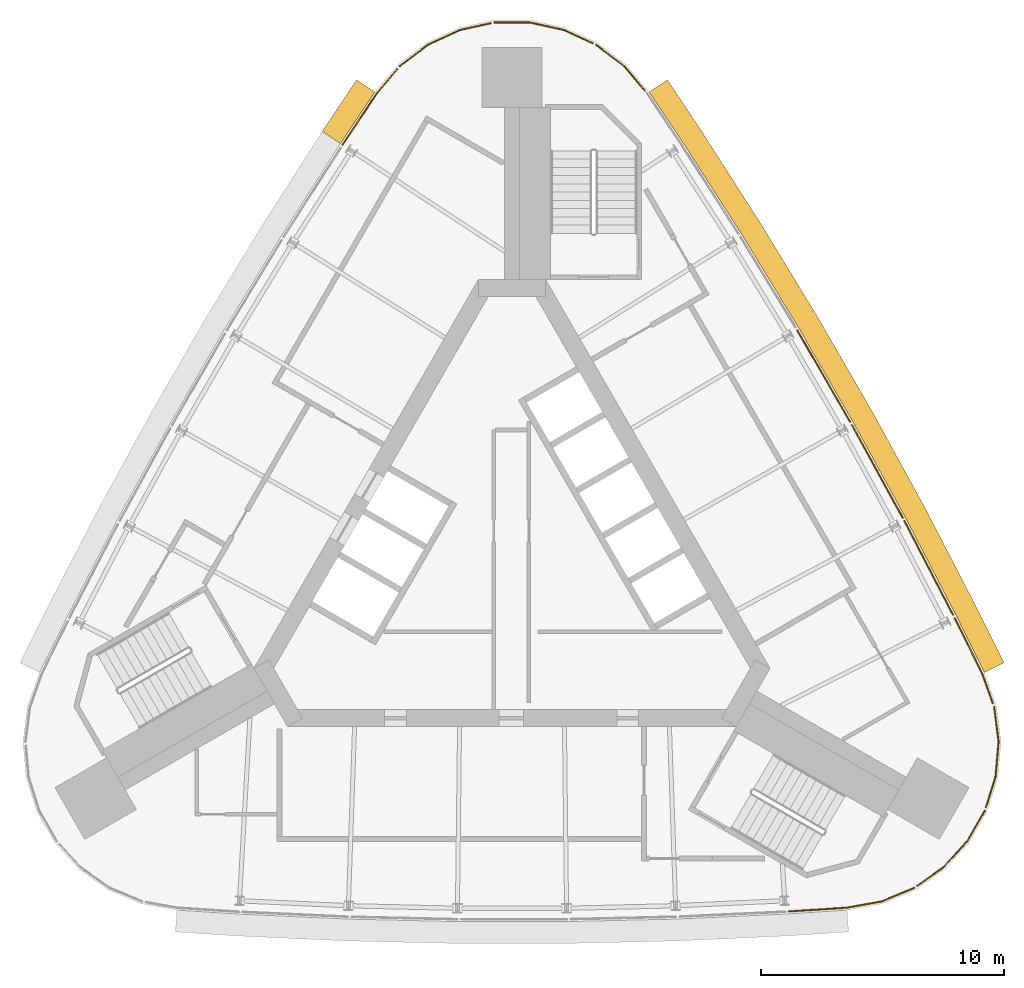
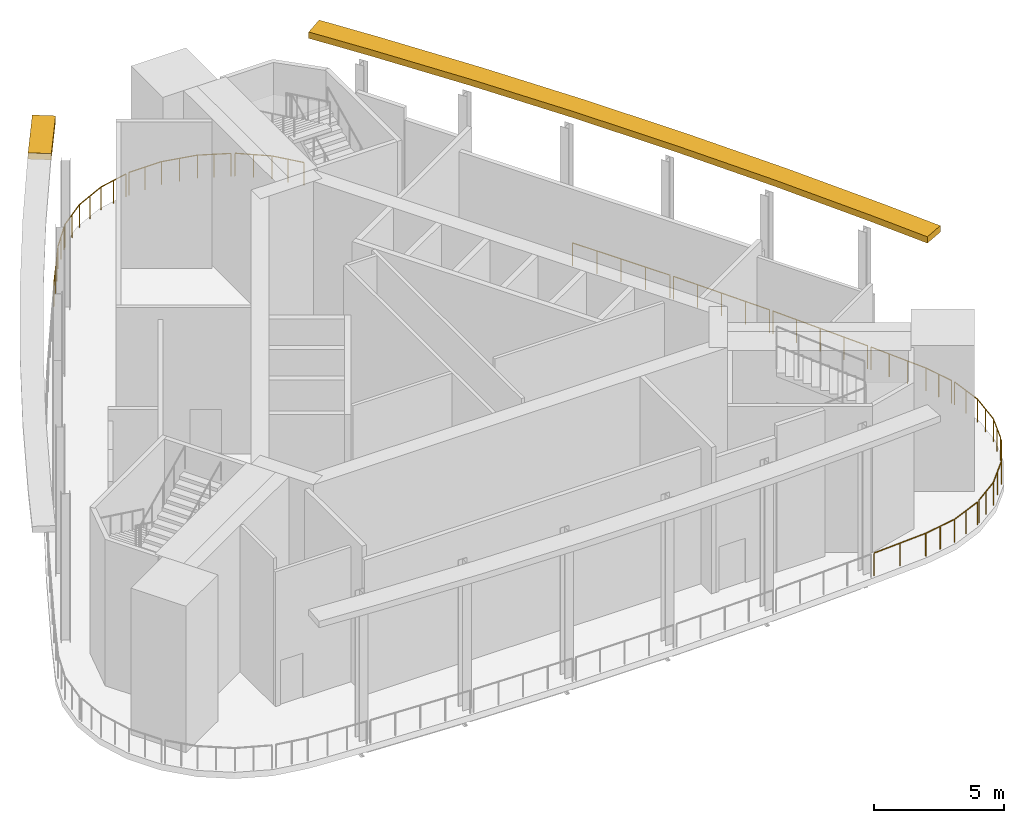
# One storey, part 7 of 7: 11 railings, 2 shading devices.
"""IFC4 building model written with IfcOpenShell, lengths in metres."""

from ifc_helpers import new_model, si_unit, direction, frame, origin, origin_2d, place, context, subcontext, project, spatial, polyline, circle, outline, extrude, material, type_object, element, save


model = new_model("IFC4")

# Units and contexts
model_context = context("Model", 3, precision=1e-05, world=origin(), true_north=direction((0.0, 1.0)))
body_context = subcontext(model_context, "Body", "Model", "MODEL_VIEW")
ifc_project = project(units=[si_unit("LENGTHUNIT", "METRE"), si_unit("AREAUNIT", "SQUARE_METRE"), si_unit("VOLUMEUNIT", "CUBIC_METRE"), si_unit("PLANEANGLEUNIT", "RADIAN"), si_unit("MASSUNIT", "GRAM", prefix="KILO")], contexts=[model_context])

# Site, building, storey
site_placement = place(None, origin())
site = spatial("IfcSite", under=ifc_project, at=site_placement, CompositionType="ELEMENT")
building_placement = place(site_placement, origin())
building = spatial("IfcBuilding", under=site, at=building_placement, Name="Noor Cloister Tower", CompositionType="ELEMENT")
storey_placement = place(building_placement, frame((0.0, 0.0, 250.800048828125)))
storey = spatial("IfcBuildingStorey", under=building, at=storey_placement, Name="L65", CompositionType="ELEMENT", Elevation=250.800048828125)

# Shading devices
ifc_material_1 = material(Name="Limestone", Category="masonry")
shading_device_type = type_object("IfcShadingDeviceType", Name="SUNSHADE limestone band 900", PredefinedType="USERDEFINED", material=ifc_material_1)
shading_device_1_placement = place(storey_placement, frame((0.0, 0.0, 6.89990234375)))
element("IfcShadingDevice", 1, at=shading_device_1_placement, inside=storey, type_object=shading_device_type, Name="SUNSHADE L65 3", ObjectType="SUNSHADE", PredefinedType="USERDEFINED", context=body_context, shape_type="SweptSolid", body=[
    extrude(outline(polyline([(20.2392578125, -4.30322265625), (19.10400390625, -2.010498046875), (17.026611328125, 2.001953125), (14.856689453125, 5.967529296875), (12.596435546875, 9.88232421875), (10.246826171875, 13.744384765625), (7.810791015625, 17.5498046875), (6.39306640625, 19.67919921875), (5.643798828125, 19.180419921875), (7.05712890625, 17.0576171875), (9.4833984375, 13.267822265625), (11.822021484375, 9.423583984375), (14.072021484375, 5.5263671875), (16.232177734375, 1.578857421875), (18.301025390625, -2.417236328125), (19.4326171875, -4.702392578125), (20.2392578125, -4.30322265625)])), origin(), (0.0, 0.0, 1.0), 0.300048828125),
])
shading_device_2_placement = place(storey_placement, frame((0.0, 0.0, 6.89990234375)))
element("IfcShadingDevice", 2, at=shading_device_2_placement, inside=storey, type_object=shading_device_type, Name="SUNSHADE L65 4", ObjectType="SUNSHADE", PredefinedType="USERDEFINED", context=body_context, shape_type="SweptSolid", body=[
    extrude(outline(polyline([(-6.39306640625, 19.67919921875), (-7.806396484375, 17.556396484375), (-7.05712890625, 17.0576171875), (-5.643798828125, 19.180419921875), (-6.39306640625, 19.67919921875)])), origin(), (0.0, 0.0, 1.0), 0.300048828125),
])

# Railings
ifc_material_2 = material(Name="Stainless steel grade 316", Category="steel")
railing_type = type_object("IfcRailingType", Name="Wind floor guard 1100", PredefinedType="GUARDRAIL", material=ifc_material_2)
railing_1_placement = place(storey_placement, frame((11.736083984375, 9.37255859375, 0.0)))
element("IfcRailing", 3, at=railing_1_placement, inside=storey, type_object=railing_type, Name="Wind floor guard L65 3", PredefinedType="GUARDRAIL", context=body_context, shape_type="SweptSolid", body=[
    extrude(circle(Radius=0.02392578125, at=origin_2d()), frame((0.0, 0.0, 1.076171875), z_axis=(0.500004386343, -0.866022871314, 0.0), x_axis=(0.866022871314, 0.500004386343, 0.0)), (0.0, 0.0, 1.0), 4.34765625),
    extrude(circle(Radius=0.02099609375, at=origin_2d()), origin(), (0.0, 0.0, 1.0), 1.052001953125),
    extrude(circle(Radius=0.02099609375, at=origin_2d()), frame((0.54345703125, -0.94140625, 0.0)), (0.0, 0.0, 1.0), 1.052001953125),
    extrude(circle(Radius=0.02099609375, at=origin_2d()), frame((1.0869140625, -1.882568359375, 0.0)), (0.0, 0.0, 1.0), 1.052001953125),
    extrude(circle(Radius=0.02099609375, at=origin_2d()), frame((1.63037109375, -2.82373046875, 0.0)), (0.0, 0.0, 1.0), 1.052001953125),
    extrude(circle(Radius=0.02099609375, at=origin_2d()), frame((2.173828125, -3.76513671875, 0.0)), (0.0, 0.0, 1.0), 1.052001953125),
])
railing_2_placement = place(storey_placement, frame((13.98486328125, 5.4775390625, 0.0)))
element("IfcRailing", 4, at=railing_2_placement, inside=storey, type_object=railing_type, Name="Wind floor guard L65 4", PredefinedType="GUARDRAIL", context=body_context, shape_type="SweptSolid", body=[
    extrude(circle(Radius=0.02392578125, at=origin_2d()), frame((0.0, 0.0, 1.076171875), z_axis=(0.480016307824, -0.877259564908, 0.0), x_axis=(0.877259564908, 0.480016307824, 0.0)), (0.0, 0.0, 1.0), 4.34765625),
    extrude(circle(Radius=0.02099609375, at=origin_2d()), origin(), (0.0, 0.0, 1.0), 1.052001953125),
    extrude(circle(Radius=0.02099609375, at=origin_2d()), frame((0.521728515625, -0.95361328125, 0.0)), (0.0, 0.0, 1.0), 1.052001953125),
    extrude(circle(Radius=0.02099609375, at=origin_2d()), frame((1.04345703125, -1.906982421875, 0.0)), (0.0, 0.0, 1.0), 1.052001953125),
    extrude(circle(Radius=0.02099609375, at=origin_2d()), frame((1.565185546875, -2.8603515625, 0.0)), (0.0, 0.0, 1.0), 1.052001953125),
    extrude(circle(Radius=0.02099609375, at=origin_2d()), frame((2.0869140625, -3.81396484375, 0.0)), (0.0, 0.0, 1.0), 1.052001953125),
])
railing_3_placement = place(storey_placement, frame((16.143798828125, 1.531982421875, 0.0)))
element("IfcRailing", 5, at=railing_3_placement, inside=storey, type_object=railing_type, Name="Wind floor guard L65 5", PredefinedType="GUARDRAIL", context=body_context, shape_type="SweptSolid", body=[
    extrude(circle(Radius=0.02392578125, at=origin_2d()), frame((0.0, 0.0, 1.076171875), z_axis=(0.459769643956, -0.8880382168, 0.0), x_axis=(0.8880382168, 0.459769643956, 0.0)), (0.0, 0.0, 1.0), 4.347900390625),
    extrude(circle(Radius=0.02099609375, at=origin_2d()), origin(), (0.0, 0.0, 1.0), 1.052001953125),
    extrude(circle(Radius=0.02099609375, at=origin_2d()), frame((0.499755859375, -0.96533203125, 0.0)), (0.0, 0.0, 1.0), 1.052001953125),
    extrude(circle(Radius=0.02099609375, at=origin_2d()), frame((0.99951171875, -1.9306640625, 0.0)), (0.0, 0.0, 1.0), 1.052001953125),
    extrude(circle(Radius=0.02099609375, at=origin_2d()), frame((1.499267578125, -2.895751953125, 0.0)), (0.0, 0.0, 1.0), 1.052001953125),
    extrude(circle(Radius=0.02099609375, at=origin_2d()), frame((1.9990234375, -3.861083984375, 0.0)), (0.0, 0.0, 1.0), 1.052001953125),
])
railing_4_placement = place(storey_placement, frame((18.2119140625, -2.46240234375, 0.0)))
element("IfcRailing", 6, at=railing_4_placement, inside=storey, type_object=railing_type, Name="Wind floor guard L65 6", PredefinedType="GUARDRAIL", context=body_context, shape_type="SweptSolid", body=[
    extrude(circle(Radius=0.02392578125, at=origin_2d()), frame((0.0, 0.0, 1.076171875), z_axis=(0.443754673123, -0.896148308084, 0.0), x_axis=(0.896148308084, 0.443754673123, 0.0)), (0.0, 0.0, 1.0), 2.54345703125),
    extrude(circle(Radius=0.02392578125, at=origin_2d()), frame((1.128662109375, -2.279296875, 1.076171875), z_axis=(0.337860516068, -0.941196191919, 0.0), x_axis=(0.941196191919, 0.337860516068, 0.0)), (0.0, 0.0, 1.0), 1.30859375),
    extrude(circle(Radius=0.02099609375, at=origin_2d()), origin(), (0.0, 0.0, 1.0), 1.052001953125),
    extrude(circle(Radius=0.02099609375, at=origin_2d()), frame((0.376220703125, -0.759765625, 0.0)), (0.0, 0.0, 1.0), 1.052001953125),
    extrude(circle(Radius=0.02099609375, at=origin_2d()), frame((0.75244140625, -1.51953125, 0.0)), (0.0, 0.0, 1.0), 1.052001953125),
    extrude(circle(Radius=0.02099609375, at=origin_2d()), frame((1.128662109375, -2.279296875, 0.0)), (0.0, 0.0, 1.0), 1.052001953125),
    extrude(circle(Radius=0.02099609375, at=origin_2d()), frame((1.349609375, -2.89501953125, 0.0)), (0.0, 0.0, 1.0), 1.052001953125),
    extrude(circle(Radius=0.02099609375, at=origin_2d()), frame((1.57080078125, -3.510986328125, 0.0)), (0.0, 0.0, 1.0), 1.052001953125),
])
railing_5_placement = place(storey_placement, frame((19.83349609375, -6.11474609375, 0.0)))
element("IfcRailing", 7, at=railing_5_placement, inside=storey, type_object=railing_type, Name="Wind floor guard L65 7", PredefinedType="GUARDRAIL", context=body_context, shape_type="SweptSolid", body=[
    extrude(circle(Radius=0.02392578125, at=origin_2d()), frame((0.0, 0.0, 1.076171875), z_axis=(0.127321093435, -0.991861552419, 0.0), x_axis=(0.991861552419, 0.127321093435, 0.0)), (0.0, 0.0, 1.0), 1.453369140625),
    extrude(circle(Radius=0.02392578125, at=origin_2d()), frame((0.18505859375, -1.441650390625, 1.076171875), z_axis=(-0.089339513517, -0.996001230584, 0.0), x_axis=(0.996001230584, -0.089339513517, 0.0)), (0.0, 0.0, 1.0), 1.453857421875),
    extrude(circle(Radius=0.02392578125, at=origin_2d()), frame((0.05517578125, -2.8896484375, 1.076171875), z_axis=(-0.301695962896, -0.953404188145, 0.0), x_axis=(0.953404188145, -0.301695962896, 0.0)), (0.0, 0.0, 1.0), 1.3037109375),
    extrude(circle(Radius=0.02099609375, at=origin_2d()), origin(), (0.0, 0.0, 1.0), 1.052001953125),
    extrude(circle(Radius=0.02099609375, at=origin_2d()), frame((0.092529296875, -0.720703125, 0.0)), (0.0, 0.0, 1.0), 1.052001953125),
    extrude(circle(Radius=0.02099609375, at=origin_2d()), frame((0.18505859375, -1.441650390625, 0.0)), (0.0, 0.0, 1.0), 1.052001953125),
    extrude(circle(Radius=0.02099609375, at=origin_2d()), frame((0.1201171875, -2.16552734375, 0.0)), (0.0, 0.0, 1.0), 1.052001953125),
    extrude(circle(Radius=0.02099609375, at=origin_2d()), frame((0.05517578125, -2.8896484375, 0.0)), (0.0, 0.0, 1.0), 1.052001953125),
    extrude(circle(Radius=0.02099609375, at=origin_2d()), frame((-0.1416015625, -3.51123046875, 0.0)), (0.0, 0.0, 1.0), 1.052001953125),
    extrude(circle(Radius=0.02099609375, at=origin_2d()), frame((-0.338134765625, -4.132568359375, 0.0)), (0.0, 0.0, 1.0), 1.052001953125),
])
railing_6_placement = place(storey_placement, frame((19.4501953125, -10.390380859375, 0.0)))
element("IfcRailing", 8, at=railing_6_placement, inside=storey, type_object=railing_type, Name="Wind floor guard L65 8", PredefinedType="GUARDRAIL", context=body_context, shape_type="SweptSolid", body=[
    extrude(circle(Radius=0.02392578125, at=origin_2d()), frame((0.0, 0.0, 1.076171875), z_axis=(-0.500022928159, -0.866012165801, 0.0), x_axis=(0.866012165801, -0.500022928159, 0.0)), (0.0, 0.0, 1.0), 1.45361328125),
    extrude(circle(Radius=0.02392578125, at=origin_2d()), frame((-0.726806640625, -1.2587890625, 1.076171875), z_axis=(-0.674826699582, -0.737976236427, 0.0), x_axis=(0.737976236427, -0.674826699582, 0.0)), (0.0, 0.0, 1.0), 1.45361328125),
    extrude(circle(Radius=0.02392578125, at=origin_2d()), frame((-1.707763671875, -2.33154296875, 1.076171875), z_axis=(-0.8179630711, -0.575270731323, 0.0), x_axis=(0.575270731323, -0.8179630711, 0.0)), (0.0, 0.0, 1.0), 1.3037109375),
    extrude(circle(Radius=0.02099609375, at=origin_2d()), origin(), (0.0, 0.0, 1.0), 1.052001953125),
    extrude(circle(Radius=0.02099609375, at=origin_2d()), frame((-0.36328125, -0.62939453125, 0.0)), (0.0, 0.0, 1.0), 1.052001953125),
    extrude(circle(Radius=0.02099609375, at=origin_2d()), frame((-0.726806640625, -1.2587890625, 0.0)), (0.0, 0.0, 1.0), 1.052001953125),
    extrude(circle(Radius=0.02099609375, at=origin_2d()), frame((-1.21728515625, -1.795166015625, 0.0)), (0.0, 0.0, 1.0), 1.052001953125),
    extrude(circle(Radius=0.02099609375, at=origin_2d()), frame((-1.707763671875, -2.33154296875, 0.0)), (0.0, 0.0, 1.0), 1.052001953125),
    extrude(circle(Radius=0.02099609375, at=origin_2d()), frame((-2.240966796875, -2.70654296875, 0.0)), (0.0, 0.0, 1.0), 1.052001953125),
    extrude(circle(Radius=0.02099609375, at=origin_2d()), frame((-2.774169921875, -3.08154296875, 0.0)), (0.0, 0.0, 1.0), 1.052001953125),
])
railing_7_placement = place(storey_placement, frame((16.553466796875, -13.558349609375, 0.0)))
element("IfcRailing", 9, at=railing_7_placement, inside=storey, type_object=railing_type, Name="Wind floor guard L65 9", PredefinedType="GUARDRAIL", context=body_context, shape_type="SweptSolid", body=[
    extrude(circle(Radius=0.02392578125, at=origin_2d()), frame((0.0, 0.0, 1.076171875), z_axis=(-0.922668973833, -0.38559300399, 0.0), x_axis=(0.38559300399, -0.922668973833, 0.0)), (0.0, 0.0, 1.0), 1.45361328125),
    extrude(circle(Radius=0.02392578125, at=origin_2d()), frame((-1.34130859375, -0.560546875, 1.076171875), z_axis=(-0.984048820123, -0.177898621733, 0.0), x_axis=(0.177898621733, -0.984048820123, 0.0)), (0.0, 0.0, 1.0), 1.458740234375),
    extrude(circle(Radius=0.02392578125, at=origin_2d()), frame((-2.77685546875, -0.820068359375, 1.076171875), z_axis=(-0.997959414129, -0.063851450659, 0.0), x_axis=(0.063851450659, -0.997959414129, 0.0)), (0.0, 0.0, 1.0), 2.3935546875),
    extrude(circle(Radius=0.02099609375, at=origin_2d()), origin(), (0.0, 0.0, 1.0), 1.052001953125),
    extrude(circle(Radius=0.02099609375, at=origin_2d()), frame((-0.670654296875, -0.2802734375, 0.0)), (0.0, 0.0, 1.0), 1.052001953125),
    extrude(circle(Radius=0.02099609375, at=origin_2d()), frame((-1.34130859375, -0.560546875, 0.0)), (0.0, 0.0, 1.0), 1.052001953125),
    extrude(circle(Radius=0.02099609375, at=origin_2d()), frame((-2.05908203125, -0.6904296875, 0.0)), (0.0, 0.0, 1.0), 1.052001953125),
    extrude(circle(Radius=0.02099609375, at=origin_2d()), frame((-2.77685546875, -0.820068359375, 0.0)), (0.0, 0.0, 1.0), 1.052001953125),
    extrude(circle(Radius=0.02099609375, at=origin_2d()), frame((-3.97119140625, -0.896484375, 0.0)), (0.0, 0.0, 1.0), 1.052001953125),
    extrude(circle(Radius=0.02099609375, at=origin_2d()), frame((-5.16552734375, -0.972900390625, 0.0)), (0.0, 0.0, 1.0), 1.052001953125),
])
railing_8_placement = place(storey_placement, frame((-6.973388671875, 17.003173828125, 0.0)))
element("IfcRailing", 10, at=railing_8_placement, inside=storey, type_object=railing_type, Name="Wind floor guard L65 24", PredefinedType="GUARDRAIL", context=body_context, shape_type="SweptSolid", body=[
    extrude(circle(Radius=0.02392578125, at=origin_2d()), frame((0.0, 0.0, 1.076171875), z_axis=(0.554257078174, 0.832345535997, 0.0), x_axis=(-0.832345535997, 0.554257078174, 0.0)), (0.0, 0.0, 1.0), 2.54345703125),
    extrude(circle(Radius=0.02392578125, at=origin_2d()), frame((1.40966796875, 2.116943359375, 1.076171875), z_axis=(0.646000775689, 0.763336752561, 0.0), x_axis=(-0.763336752561, 0.646000775689, 0.0)), (0.0, 0.0, 1.0), 1.308837890625),
    extrude(circle(Radius=0.02099609375, at=origin_2d()), origin(), (0.0, 0.0, 1.0), 1.052001953125),
    extrude(circle(Radius=0.02099609375, at=origin_2d()), frame((0.469970703125, 0.70556640625, 0.0)), (0.0, 0.0, 1.0), 1.052001953125),
    extrude(circle(Radius=0.02099609375, at=origin_2d()), frame((0.939697265625, 1.411376953125, 0.0)), (0.0, 0.0, 1.0), 1.052001953125),
    extrude(circle(Radius=0.02099609375, at=origin_2d()), frame((1.40966796875, 2.116943359375, 0.0)), (0.0, 0.0, 1.0), 1.052001953125),
    extrude(circle(Radius=0.02099609375, at=origin_2d()), frame((1.83251953125, 2.616455078125, 0.0)), (0.0, 0.0, 1.0), 1.052001953125),
    extrude(circle(Radius=0.02099609375, at=origin_2d()), frame((2.255126953125, 3.115966796875, 0.0)), (0.0, 0.0, 1.0), 1.052001953125),
])
railing_9_placement = place(storey_placement, frame((-4.621337890625, 20.233642578125, 0.0)))
element("IfcRailing", 11, at=railing_9_placement, inside=storey, type_object=railing_type, Name="Wind floor guard L65 25", PredefinedType="GUARDRAIL", context=body_context, shape_type="SweptSolid", body=[
    extrude(circle(Radius=0.02392578125, at=origin_2d()), frame((0.0, 0.0, 1.076171875), z_axis=(0.795381599235, 0.606108993167, 0.0), x_axis=(-0.606108993167, 0.795381599235, 0.0)), (0.0, 0.0, 1.0), 1.45361328125),
    extrude(circle(Radius=0.02392578125, at=origin_2d()), frame((1.15625, 0.881103515625, 1.076171875), z_axis=(0.907176155692, 0.420751022035, 0.0), x_axis=(-0.420751022035, 0.907176155692, 0.0)), (0.0, 0.0, 1.0), 1.45361328125),
    extrude(circle(Radius=0.02392578125, at=origin_2d()), frame((2.474853515625, 1.49267578125, 1.076171875), z_axis=(0.976538252773, 0.215344005885, 0.0), x_axis=(-0.215344005885, 0.976538252773, 0.0)), (0.0, 0.0, 1.0), 1.3037109375),
    extrude(circle(Radius=0.02099609375, at=origin_2d()), origin(), (0.0, 0.0, 1.0), 1.052001953125),
    extrude(circle(Radius=0.02099609375, at=origin_2d()), frame((0.578125, 0.4404296875, 0.0)), (0.0, 0.0, 1.0), 1.052001953125),
    extrude(circle(Radius=0.02099609375, at=origin_2d()), frame((1.15625, 0.881103515625, 0.0)), (0.0, 0.0, 1.0), 1.052001953125),
    extrude(circle(Radius=0.02099609375, at=origin_2d()), frame((1.8154296875, 1.18701171875, 0.0)), (0.0, 0.0, 1.0), 1.052001953125),
    extrude(circle(Radius=0.02099609375, at=origin_2d()), frame((2.474853515625, 1.49267578125, 0.0)), (0.0, 0.0, 1.0), 1.052001953125),
    extrude(circle(Radius=0.02099609375, at=origin_2d()), frame((3.111328125, 1.633056640625, 0.0)), (0.0, 0.0, 1.0), 1.052001953125),
    extrude(circle(Radius=0.02099609375, at=origin_2d()), frame((3.748046875, 1.7734375, 0.0)), (0.0, 0.0, 1.0), 1.052001953125),
])
railing_10_placement = place(storey_placement, frame((-0.726806640625, 22.03955078125, 0.0)))
element("IfcRailing", 12, at=railing_10_placement, inside=storey, type_object=railing_type, Name="Wind floor guard L65 26", PredefinedType="GUARDRAIL", context=body_context, shape_type="SweptSolid", body=[
    extrude(circle(Radius=0.02392578125, at=origin_2d()), frame((0.0, 0.0, 1.076171875), z_axis=(1.0, 0.0, 0.0), x_axis=(0.0, 1.0, 0.0)), (0.0, 0.0, 1.0), 1.45361328125),
    extrude(circle(Radius=0.02392578125, at=origin_2d()), frame((1.45361328125, 0.0, 1.076171875), z_axis=(0.976513902343, -0.215454400121, 0.0), x_axis=(0.215454400121, 0.976513902343, 0.0)), (0.0, 0.0, 1.0), 1.453857421875),
    extrude(circle(Radius=0.02392578125, at=origin_2d()), frame((2.873291015625, -0.313232421875, 1.076171875), z_axis=(0.907223454988, -0.420649025579, 0.0), x_axis=(0.420649025579, 0.907223454988, 0.0)), (0.0, 0.0, 1.0), 1.303466796875),
    extrude(circle(Radius=0.02099609375, at=origin_2d()), origin(), (0.0, 0.0, 1.0), 1.052001953125),
    extrude(circle(Radius=0.02099609375, at=origin_2d()), frame((0.726806640625, 0.0, 0.0)), (0.0, 0.0, 1.0), 1.052001953125),
    extrude(circle(Radius=0.02099609375, at=origin_2d()), frame((1.45361328125, 0.0, 0.0)), (0.0, 0.0, 1.0), 1.052001953125),
    extrude(circle(Radius=0.02099609375, at=origin_2d()), frame((2.16357421875, -0.15673828125, 0.0)), (0.0, 0.0, 1.0), 1.052001953125),
    extrude(circle(Radius=0.02099609375, at=origin_2d()), frame((2.873291015625, -0.313232421875, 0.0)), (0.0, 0.0, 1.0), 1.052001953125),
    extrude(circle(Radius=0.02099609375, at=origin_2d()), frame((3.464599609375, -0.58740234375, 0.0)), (0.0, 0.0, 1.0), 1.052001953125),
    extrude(circle(Radius=0.02099609375, at=origin_2d()), frame((4.055908203125, -0.861572265625, 0.0)), (0.0, 0.0, 1.0), 1.052001953125),
])
railing_11_placement = place(storey_placement, frame((3.465087890625, 21.11474609375, 0.0)))
element("IfcRailing", 13, at=railing_11_placement, inside=storey, type_object=railing_type, Name="Wind floor guard L65 27", PredefinedType="GUARDRAIL", context=body_context, shape_type="SweptSolid", body=[
    extrude(circle(Radius=0.02392578125, at=origin_2d()), frame((0.0, 0.0, 1.076171875), z_axis=(0.795381599235, -0.606108993167, 0.0), x_axis=(0.606108993167, 0.795381599235, 0.0)), (0.0, 0.0, 1.0), 1.45361328125),
    extrude(circle(Radius=0.02392578125, at=origin_2d()), frame((1.15625, -0.881103515625, 1.076171875), z_axis=(0.646000775689, -0.763336752561, 0.0), x_axis=(0.763336752561, 0.646000775689, 0.0)), (0.0, 0.0, 1.0), 1.308837890625),
    extrude(circle(Radius=0.02099609375, at=origin_2d()), origin(), (0.0, 0.0, 1.0), 1.052001953125),
    extrude(circle(Radius=0.02099609375, at=origin_2d()), frame((0.578125, -0.4404296875, 0.0)), (0.0, 0.0, 1.0), 1.052001953125),
    extrude(circle(Radius=0.02099609375, at=origin_2d()), frame((1.15625, -0.881103515625, 0.0)), (0.0, 0.0, 1.0), 1.052001953125),
    extrude(circle(Radius=0.02099609375, at=origin_2d()), frame((1.5791015625, -1.380615234375, 0.0)), (0.0, 0.0, 1.0), 1.052001953125),
    extrude(circle(Radius=0.02099609375, at=origin_2d()), frame((2.001708984375, -1.880126953125, 0.0)), (0.0, 0.0, 1.0), 1.052001953125),
])

save(model, "model.ifc")
